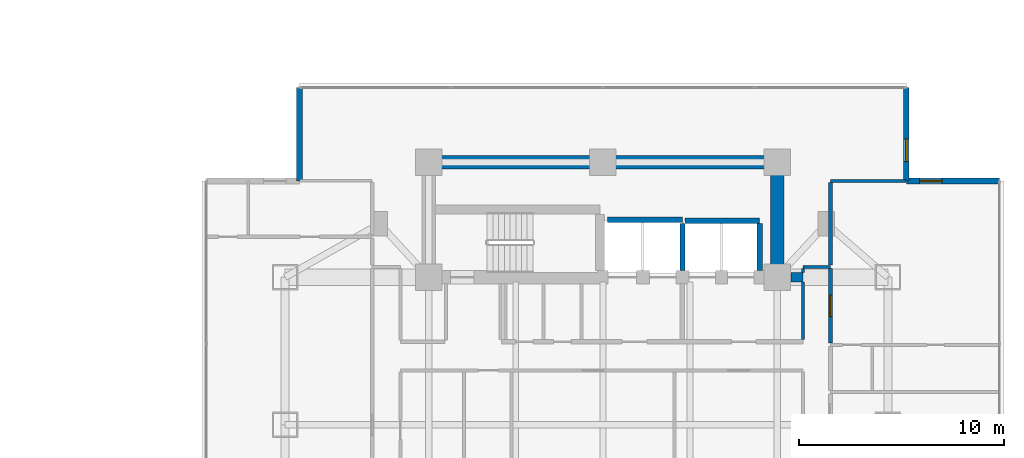
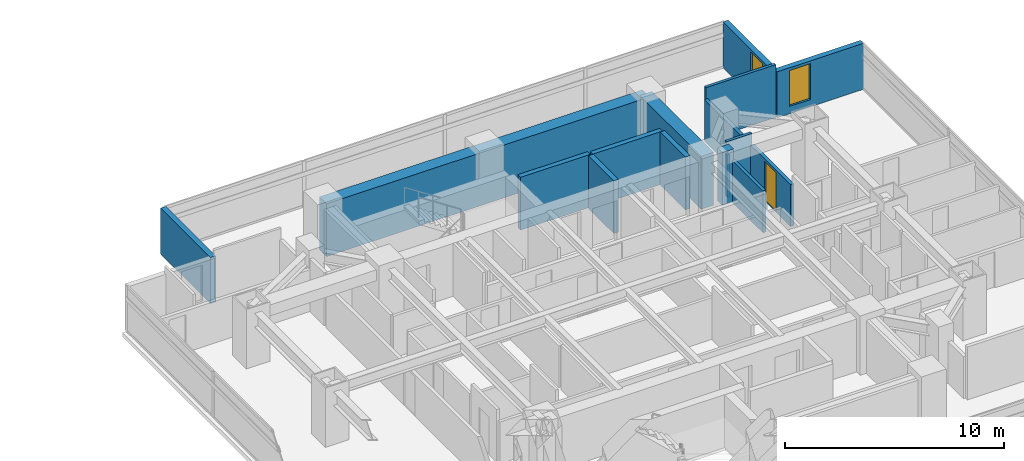
# One storey, part 20 of 26: 16 walls, 2 windows, 1 door, 3 openings.
"""IFC4 building model written with IfcOpenShell, lengths in metres."""

import ifcopenshell
import ifcopenshell.guid

model = None  # the IFC model being written
_history = None  # IfcOwnerHistory: only IFC2X3 demands one
_inside = {}  # id of a spatial element -> (the spatial element, [elements in it])
_under = {}  # id of a project, library or spatial element -> (it, [spatial elements below it])
_declared = {}  # id of a project -> (the project, [libraries it declares])
_typed = {}  # id of a type object -> (the type object, [elements of that type])
_made_of = {}  # id of a material, layer set ... -> (it, [elements and type objects made of it])


def new_model(schema):
    """Start an empty IFC model of exactly this schema.

    Asked for "IFC4X3", IfcOpenShell would pick the latest addendum, in which some entities
    have other attributes; the version numbers below select the first issue.
    IFC2X3 requires an IfcOwnerHistory on every rooted entity: one is made here for all.
    """
    global model, _history
    if schema == "IFC4X3":
        model = ifcopenshell.file(schema_version=(4, 3, 0, 0))
    else:
        model = ifcopenshell.file(schema=schema)
    _inside.clear()
    _under.clear()
    _declared.clear()
    _typed.clear()
    _made_of.clear()
    _history = None
    if model.schema == "IFC2X3":
        org = make("IfcOrganization", Name="unknown")
        user = make(
            "IfcPersonAndOrganization",
            ThePerson=make("IfcPerson", FamilyName="unknown"),
            TheOrganization=org,
        )
        app = make(
            "IfcApplication",
            ApplicationDeveloper=org,
            Version="unknown",
            ApplicationFullName="unknown",
            ApplicationIdentifier="unknown",
        )
        _history = make(
            "IfcOwnerHistory",
            OwningUser=user,
            OwningApplication=app,
            ChangeAction="ADDED",
            CreationDate=0,
        )
    return model


def make(cls, **values):
    """One entity of the class cls with the attributes given. An attribute that is None is left unset."""
    return model.create_entity(
        cls, **{name: value for name, value in values.items() if value is not None}
    )


def rooted(cls, **values):
    """An entity with a GlobalId (a new one), such as an element, a storey or a relation."""
    return make(cls, GlobalId=ifcopenshell.guid.new(), OwnerHistory=_history, **values)


def si_unit(unit_type, name, prefix=None):
    """IfcSIUnit, for example si_unit("LENGTHUNIT", "METRE", prefix="MILLI")."""
    return make("IfcSIUnit", UnitType=unit_type, Prefix=prefix, Name=name)


def assignment(units):
    """IfcUnitAssignment: the units of a project."""
    return None if units is None else make("IfcUnitAssignment", Units=units)


def point(xyz):
    """IfcCartesianPoint."""
    return None if xyz is None else make("IfcCartesianPoint", Coordinates=xyz)


def direction(xyz):
    """IfcDirection."""
    return None if xyz is None else make("IfcDirection", DirectionRatios=xyz)


def frame(location, z_axis=None, x_axis=None):
    """IfcAxis2Placement3D, a coordinate frame: its origin and axes. An axis left out is left unset."""
    return make(
        "IfcAxis2Placement3D",
        Location=point(location),
        Axis=direction(z_axis),
        RefDirection=direction(x_axis),
    )


def frame_2d(location, x_axis=None):
    """IfcAxis2Placement2D, a coordinate frame in the plane: its origin and x axis."""
    return make(
        "IfcAxis2Placement2D", Location=point(location), RefDirection=direction(x_axis)
    )


def origin():
    """The frame at (0, 0, 0) with its axes left unset."""
    return frame((0.0, 0.0, 0.0))


def place(relative_to, where):
    """IfcLocalPlacement: puts the frame where relative to a parent placement (None: the world)."""
    return make(
        "IfcLocalPlacement", PlacementRelTo=relative_to, RelativePlacement=where
    )


def context(
    kind, dimensions, precision=None, world=None, true_north=None, identifier=None
):
    """IfcGeometricRepresentationContext, for example the 3D "Model" context."""
    return make(
        "IfcGeometricRepresentationContext",
        ContextIdentifier=identifier,
        ContextType=kind,
        CoordinateSpaceDimension=dimensions,
        Precision=precision,
        WorldCoordinateSystem=world,
        TrueNorth=true_north,
    )


def subcontext(parent, identifier, kind, view, scale=None):
    """IfcGeometricRepresentationSubContext, for example "Body" below "Model"."""
    return make(
        "IfcGeometricRepresentationSubContext",
        ContextIdentifier=identifier,
        ContextType=kind,
        ParentContext=parent,
        TargetScale=scale,
        TargetView=view,
    )


def project(units=None, contexts=None):
    """IfcProject with its units and contexts."""
    return rooted(
        "IfcProject",
        Name="project",
        RepresentationContexts=contexts,
        UnitsInContext=assignment(units),
    )


def spatial(cls, under=None, at=None, **own):
    """A site, building, storey or space (cls), placed at a placement, below another one or the project."""
    s = rooted(cls, ObjectPlacement=at, **own)
    if under is not None:
        _under.setdefault(under.id(), (under, []))[1].append(s)
    return s


def profile(cls, at=None, kind="AREA", **sizes):
    """A parametric profile (cls). Its sizes go by their IFC names, for example OverallWidth=200.0."""
    return make(cls, ProfileType=kind, Position=at, **sizes)


def rectangle(**sizes):
    """IfcRectangleProfileDef."""
    return profile("IfcRectangleProfileDef", **sizes)


def extrude(swept, where, along, depth):
    """IfcExtrudedAreaSolid: the profile swept, set in the frame where, extruded along a direction by depth."""
    return make(
        "IfcExtrudedAreaSolid",
        SweptArea=swept,
        Position=where,
        ExtrudedDirection=direction(along),
        Depth=depth,
    )


def shape(context_of_items, identifier, shape_type, items):
    """IfcShapeRepresentation: the items that make up one representation, for example the "Body"."""
    return make(
        "IfcShapeRepresentation",
        ContextOfItems=context_of_items,
        RepresentationIdentifier=identifier,
        RepresentationType=shape_type,
        Items=items,
    )


def material(Name=None, Category=None):
    """IfcMaterial."""
    return make("IfcMaterial", Name=Name, Category=Category)


def layer(
    of_material, thickness, ventilated=None, Name=None, Category=None, Priority=None
):
    """IfcMaterialLayer: one layer of a wall or slab, of a material (None: an air gap)."""
    return make(
        "IfcMaterialLayer",
        Material=of_material,
        LayerThickness=thickness,
        IsVentilated=ventilated,
        Name=Name,
        Category=Category,
        Priority=Priority,
    )


def layer_set(layers, Name=None):
    """IfcMaterialLayerSet."""
    return make("IfcMaterialLayerSet", MaterialLayers=layers, LayerSetName=Name)


def made_of(thing, what):
    """Note that an element or type object is made of a material, layer set ...; save() writes the relation."""
    if what is not None:
        _made_of.setdefault(what.id(), (what, []))[1].append(thing)
    return thing


def type_object(cls, material=None, **own):
    """A type object (cls), such as IfcWallType, which elements share."""
    return made_of(rooted(cls, **own), material)


def element(
    cls,
    number,
    at=None,
    inside=None,
    cuts=None,
    type_object=None,
    material=None,
    context=None,
    identifier="Body",
    shape_type=None,
    held_by="IfcProductDefinitionShape",
    body=None,
    shapes=None,
    **own,
):
    """One element of the class cls, such as IfcWall. Its Tag is "e" and its number.

    at: its placement. inside: the storey or other place that contains it. cuts: it is an
    opening in that element (IfcRelVoidsElement). A single representation is given by context,
    identifier, shape_type and body (its items); several are given by shapes. held_by: the class
    of the entity that holds the representations. save() writes the other relations.
    """
    e = rooted(cls, Tag="e%d" % number, ObjectPlacement=at, **own)
    if body is not None:
        shapes = [shape(context, identifier, shape_type, body)]
    if shapes is not None:
        e.Representation = make(held_by, Representations=shapes)
    if inside is not None:
        _inside.setdefault(inside.id(), (inside, []))[1].append(e)
    if cuts is not None:
        rooted(
            "IfcRelVoidsElement", RelatingBuildingElement=cuts, RelatedOpeningElement=e
        )
    if type_object is not None:
        _typed.setdefault(type_object.id(), (type_object, []))[1].append(e)
    return made_of(e, material)


def fill(opening, filler):
    """IfcRelFillsElement: the door or window that sits in an opening."""
    return rooted(
        "IfcRelFillsElement",
        RelatingOpeningElement=opening,
        RelatedBuildingElement=filler,
    )


def aggregate(whole, parts):
    """IfcRelAggregates: a whole, such as a stair, and the parts it consists of."""
    return rooted("IfcRelAggregates", RelatingObject=whole, RelatedObjects=parts)


def save(model, path):
    """Write the relations noted so far, then the file.

    IfcRelAggregates (storeys below a building ...), IfcRelContainedInSpatialStructure (elements
    in a storey), IfcRelDefinesByType, IfcRelAssociatesMaterial and IfcRelDeclares: one each for
    every whole, place, type object, material and project.
    """
    for whole, parts in _under.values():
        aggregate(whole, parts)
    for where, things in _inside.values():
        rooted(
            "IfcRelContainedInSpatialStructure",
            RelatedElements=things,
            RelatingStructure=where,
        )
    for kind, things in _typed.values():
        rooted("IfcRelDefinesByType", RelatedObjects=things, RelatingType=kind)
    for what, things in _made_of.values():
        rooted("IfcRelAssociatesMaterial", RelatedObjects=things, RelatingMaterial=what)
    for by, libraries in _declared.values():
        rooted("IfcRelDeclares", RelatingContext=by, RelatedDefinitions=libraries)
    model.write(path)


model = new_model("IFC4")

# Units and contexts
model_context = context("Model", 3, precision=1e-05, world=origin(), true_north=direction((0.0, 1.0)))
body_context = subcontext(model_context, "Body", "Model", "MODEL_VIEW")
ifc_project = project(units=[si_unit("LENGTHUNIT", "METRE"), si_unit("AREAUNIT", "SQUARE_METRE"), si_unit("VOLUMEUNIT", "CUBIC_METRE"), si_unit("PLANEANGLEUNIT", "RADIAN"), si_unit("MASSUNIT", "GRAM", prefix="KILO")], contexts=[model_context])

# Site, building, storey
site_placement = place(None, origin())
site = spatial("IfcSite", under=ifc_project, at=site_placement, CompositionType="ELEMENT")
building_placement = place(site_placement, origin())
building = spatial("IfcBuilding", under=site, at=building_placement, Name="Mirazonda Arch Towers", CompositionType="ELEMENT")
storey_placement = place(building_placement, frame((0.0, 0.0, 78.5)))
storey = spatial("IfcBuildingStorey", under=building, at=storey_placement, Name="L22", CompositionType="ELEMENT", Elevation=78.5)

# Walls
ifc_material_1 = material(Name="Concrete C50/60", Category="concrete")
ifc_layer_1 = layer(ifc_material_1, 0.449951171875, Name="WALL-CORE-450")
ifc_layer_set_1 = layer_set([ifc_layer_1], Name="Concrete C50/60")
wall_type_1 = type_object("IfcWallType", Name="WALL-CORE-450", PredefinedType="SHEAR", material=ifc_layer_set_1)
wall_1_placement = place(storey_placement, frame((85.6650390625, 35.199951171875, 0.0), z_axis=(0.0, 0.0, 1.0), x_axis=(1.0, 0.0, 0.0)))
element("IfcWall", 1, at=wall_1_placement, inside=storey, type_object=wall_type_1, Name="L22 Stair Core Shear Wall 042", PredefinedType="SHEAR", context=body_context, shape_type="SweptSolid", body=[
    extrude(rectangle(XDim=0.5849609375, YDim=0.449951171875, at=frame_2d((0.29248046875, 0.0))), origin(), (0.0, 0.0, 1.0), 2.93994140625),
])
ifc_material_2 = material(Name="Concrete C60/75", Category="concrete")
ifc_layer_2 = layer(ifc_material_2, 0.64990234375, Name="WALL-CORE-650")
ifc_layer_set_2 = layer_set([ifc_layer_2], Name="Concrete C60/75")
wall_type_2 = type_object("IfcWallType", Name="WALL-CORE-650", PredefinedType="SHEAR", material=ifc_layer_set_2)
wall_2_placement = place(storey_placement, frame((68.0, 40.800048828125, 0.0), z_axis=(0.0, 0.0, 1.0), x_axis=(1.0, 0.0, 0.0)))
element("IfcWall", 2, at=wall_2_placement, inside=storey, type_object=wall_type_2, Name="L22 T2N-N Core Shear Wall", PredefinedType="SHEAR", context=body_context, shape_type="SweptSolid", body=[
    extrude(rectangle(XDim=17.0, YDim=0.64990234375, at=frame_2d((8.5, 0.0))), origin(), (0.0, 0.0, 1.0), 2.93994140625),
])
wall_3_placement = place(storey_placement, frame((85.0, 35.199951171875, 0.0), z_axis=(0.0, 0.0, 1.0), x_axis=(0.0, 1.0, 0.0)))
element("IfcWall", 3, at=wall_3_placement, inside=storey, type_object=wall_type_2, Name="L22 T2N-E Core Shear Wall", PredefinedType="SHEAR", context=body_context, shape_type="SweptSolid", body=[
    extrude(rectangle(XDim=5.60009765625, YDim=0.64990234375, at=frame_2d((2.800048828125, 0.0))), origin(), (0.0, 0.0, 1.0), 2.93994140625),
])

# Wall, opening, window
ifc_material_3 = material(Name="Precast Concrete C40/50", Category="concrete")
ifc_layer_3 = layer(ifc_material_3, 0.280029296875, Name="WALL-EXT-WALL-280")
ifc_layer_set_3 = layer_set([ifc_layer_3], Name="Precast Concrete C40/50")
wall_type_3 = type_object("IfcWallType", Name="WALL-EXT-WALL-280", PredefinedType="SOLIDWALL", material=ifc_layer_set_3)
wall_4_placement = place(storey_placement, frame((91.298095703125, 39.896484375, 0.0), z_axis=(0.0, 0.0, 1.0), x_axis=(0.0, 1.0, 0.0)))
wall_4 = element("IfcWall", 4, at=wall_4_placement, inside=storey, type_object=wall_type_3, Name="L22 T2 Notched NE Corner Wall WL-L22-T2-CNE", PredefinedType="SOLIDWALL", context=body_context, shape_type="SweptSolid", body=[
    extrude(rectangle(XDim=4.5458984375, YDim=0.280029296875, at=frame_2d((2.27294921875, 0.0))), origin(), (0.0, 0.0, 1.0), 2.56005859375),
])
opening_1_placement = place(wall_4_placement, frame((0.949951171875, 0.0, 0.409912109375)))
opening_1 = element("IfcOpeningElement", 5, at=opening_1_placement, cuts=wall_4, Name="Opening WN-108", PredefinedType="OPENING", context=body_context, shape_type="SweptSolid", body=[
    extrude(rectangle(XDim=1.10009765625, YDim=2.0, at=frame_2d((0.550048828125, 1.0))), frame((0.0, 0.14990234375, 0.0), z_axis=(0.0, -1.0, 0.0), x_axis=(1.0, 0.0, 0.0)), (0.0, 0.0, 1.0), 0.300048828125),
])
ifc_material_4 = material(Name="Insulated Low-E Solar Glass", Category="glass")
window_type = type_object("IfcWindowType", Name="WIN-NOTCH-1100x2000", PartitioningType="SINGLE_PANEL", PredefinedType="WINDOW", material=ifc_material_4)
window_1_placement = place(opening_1_placement, origin())
window_1 = element("IfcWindow", 6, at=window_1_placement, inside=storey, type_object=window_type, Name="L22 Punched Facade Window WN-L22-T2-CNE", OverallHeight=2.0, OverallWidth=1.10009765625, PartitioningType="SINGLE_PANEL", PredefinedType="WINDOW", context=body_context, shape_type="SweptSolid", body=[
    extrude(rectangle(XDim=1.10009765625, YDim=2.0, at=frame_2d((0.550048828125, 1.0))), frame((0.0, 0.030029296875, 0.0), z_axis=(0.0, -1.0, 0.0), x_axis=(1.0, 0.0, 0.0)), (0.0, 0.0, 1.0), 0.06005859375),
])
fill(opening_1, window_1)

# Wall
wall_5_placement = place(storey_placement, frame((61.701904296875, 44.4423828125, 0.0), z_axis=(0.0, 0.0, 1.0), x_axis=(0.0, -1.0, 0.0)))
element("IfcWall", 7, at=wall_5_placement, inside=storey, type_object=wall_type_3, Name="L22 T2 Corner Notch Return Wall WL-L22-T2-CNW2", PredefinedType="SOLIDWALL", context=body_context, shape_type="SweptSolid", body=[
    extrude(rectangle(XDim=4.5458984375, YDim=0.280029296875, at=frame_2d((2.27294921875, 0.0))), origin(), (0.0, 0.0, 1.0), 2.56005859375),
])

# Wall, opening, window
wall_6_placement = place(storey_placement, frame((95.843994140625, 39.896484375, 0.0), z_axis=(0.0, 0.0, 1.0), x_axis=(-1.0, 0.0, 0.0)))
wall_6 = element("IfcWall", 8, at=wall_6_placement, inside=storey, type_object=wall_type_3, Name="L22 T2 Corner Notch Return Wall WL-L22-T2-CNE2", PredefinedType="SOLIDWALL", context=body_context, shape_type="SweptSolid", body=[
    extrude(rectangle(XDim=4.5458984375, YDim=0.280029296875, at=frame_2d((2.27294921875, 0.0))), origin(), (0.0, 0.0, 1.0), 2.56005859375),
])
opening_2_placement = place(wall_6_placement, frame((2.7958984375, 0.0, 0.409912109375)))
opening_2 = element("IfcOpeningElement", 9, at=opening_2_placement, cuts=wall_6, Name="Opening WN-108", PredefinedType="OPENING", context=body_context, shape_type="SweptSolid", body=[
    extrude(rectangle(XDim=1.10009765625, YDim=2.0, at=frame_2d((0.550048828125, 1.0))), frame((0.0, 0.14990234375, 0.0), z_axis=(0.0, -1.0, 0.0), x_axis=(1.0, 0.0, 0.0)), (0.0, 0.0, 1.0), 0.300048828125),
])
window_2_placement = place(opening_2_placement, origin())
window_2 = element("IfcWindow", 10, at=window_2_placement, inside=storey, type_object=window_type, Name="L22 Punched Facade Window WN-L22-T2-CNE2", OverallHeight=2.0, OverallWidth=1.10009765625, PartitioningType="SINGLE_PANEL", PredefinedType="WINDOW", context=body_context, shape_type="SweptSolid", body=[
    extrude(rectangle(XDim=1.10009765625, YDim=2.0, at=frame_2d((0.550048828125, 1.0))), frame((0.0, 0.030029296875, 0.0), z_axis=(0.0, -1.0, 0.0), x_axis=(1.0, 0.0, 0.0)), (0.0, 0.0, 1.0), 0.06005859375),
])
fill(opening_2, window_2)

# Walls
ifc_material_5 = material(Name="Fire-Rated Gypsum Stud Partition")
ifc_layer_4 = layer(ifc_material_5, 0.14990234375, Name="WALL-PART-CORR-150")
ifc_layer_set_4 = layer_set([ifc_layer_4], Name="Fire-Rated Gypsum Stud Partition")
wall_type_4 = type_object("IfcWallType", Name="WALL-PART-CORR-150", PredefinedType="PARTITIONING", material=ifc_layer_set_4)
wall_7_placement = place(storey_placement, frame((86.25, 35.699951171875, 0.0), z_axis=(0.0, 0.0, 1.0), x_axis=(1.0, 0.0, 0.0)))
element("IfcWall", 11, at=wall_7_placement, inside=storey, type_object=wall_type_4, Name="L22 Interior Partition 044", PredefinedType="PARTITIONING", context=body_context, shape_type="SweptSolid", body=[
    extrude(rectangle(XDim=1.35009765625, YDim=0.14990234375, at=frame_2d((0.675048828125, 0.0))), origin(), (0.0, 0.0, 1.0), 2.93994140625),
])
wall_8_placement = place(storey_placement, frame((87.60009765625, 39.89599609375, 0.0), z_axis=(0.0, 0.0, 1.0), x_axis=(1.0, 0.0, 0.0)))
element("IfcWall", 12, at=wall_8_placement, inside=storey, type_object=wall_type_4, Name="L22 Interior Partition 050", PredefinedType="PARTITIONING", context=body_context, shape_type="SweptSolid", body=[
    extrude(rectangle(XDim=3.677978515625, YDim=0.14990234375, at=frame_2d((1.8388671875, 0.0))), origin(), (0.0, 0.0, 1.0), 2.93994140625),
])
wall_9_placement = place(storey_placement, frame((86.25, 32.169921875, 0.0), z_axis=(0.0, 0.0, 1.0), x_axis=(0.0, 1.0, 0.0)))
element("IfcWall", 13, at=wall_9_placement, inside=storey, type_object=wall_type_4, Name="L22 Interior Partition 137", PredefinedType="PARTITIONING", context=body_context, shape_type="SweptSolid", body=[
    extrude(rectangle(XDim=2.795166015625, YDim=0.14990234375, at=frame_2d((1.3974609375, 0.0))), origin(), (0.0, 0.0, 1.0), 2.33203125),
])
wall_10_placement = place(storey_placement, frame((86.25, 35.43505859375, 0.0), z_axis=(0.0, 0.0, 1.0), x_axis=(0.0, 1.0, 0.0)))
element("IfcWall", 14, at=wall_10_placement, inside=storey, type_object=wall_type_4, Name="L22 Interior Partition 138", PredefinedType="PARTITIONING", context=body_context, shape_type="SweptSolid", body=[
    extrude(rectangle(XDim=0.179931640625, YDim=0.14990234375, at=frame_2d((0.08984375, 0.0))), origin(), (0.0, 0.0, 1.0), 2.33203125),
])

# Wall, opening, door
ifc_material_6 = material(Name="Fire-Rated Gypsum Twin-Stud Assembly")
ifc_layer_5 = layer(ifc_material_6, 0.179931640625, Name="WALL-PART-DEMISE-180")
ifc_layer_set_5 = layer_set([ifc_layer_5], Name="Fire-Rated Gypsum Twin-Stud Assembly")
wall_type_5 = type_object("IfcWallType", Name="WALL-PART-DEMISE-180", PredefinedType="PARTITIONING", material=ifc_layer_set_5)
wall_11_placement = place(storey_placement, frame((87.60009765625, 31.98095703125, 0.0), z_axis=(0.0, 0.0, 1.0), x_axis=(0.0, 1.0, 0.0)))
wall_11 = element("IfcWall", 15, at=wall_11_placement, inside=storey, type_object=wall_type_5, Name="L22 Interior Partition 145", PredefinedType="PARTITIONING", context=body_context, shape_type="SweptSolid", body=[
    extrude(rectangle(XDim=3.634033203125, YDim=0.179931640625, at=frame_2d((1.81689453125, 0.0))), origin(), (0.0, 0.0, 1.0), 2.33203125),
])
opening_3_placement = place(wall_11_placement, frame((1.2919921875, 0.0, 0.0)))
opening_3 = element("IfcOpeningElement", 16, at=opening_3_placement, cuts=wall_11, Name="Opening DR-121", PredefinedType="OPENING", context=body_context, shape_type="SweptSolid", body=[
    extrude(rectangle(XDim=1.050048828125, YDim=2.199951171875, at=frame_2d((0.52490234375, 1.10009765625))), frame((0.0, 0.099853515625, 0.0), z_axis=(0.0, -1.0, 0.0), x_axis=(1.0, 0.0, 0.0)), (0.0, 0.0, 1.0), 0.199951171875),
])
ifc_material_7 = material(Name="Architectural Brushed Steel S355", Category="steel")
door_type = type_object("IfcDoorType", Name="DOOR-SUITE-FD60-1050", OperationType="NOTDEFINED", PredefinedType="DOOR", material=ifc_material_7)
door_placement = place(opening_3_placement, origin())
door = element("IfcDoor", 17, at=door_placement, inside=storey, type_object=door_type, Name="L22 King Hotel Guestroom 3 Door", OperationType="SINGLE_SWING_LEFT", OverallHeight=2.199951171875, OverallWidth=1.050048828125, PredefinedType="DOOR", context=body_context, shape_type="SweptSolid", body=[
    extrude(rectangle(XDim=1.050048828125, YDim=2.199951171875, at=frame_2d((0.52490234375, 1.10009765625))), frame((0.0, 0.02490234375, 0.0), z_axis=(0.0, -1.0, 0.0), x_axis=(1.0, 0.0, 0.0)), (0.0, 0.0, 1.0), 0.050048828125),
])
fill(opening_3, door)

# Walls
wall_12_placement = place(storey_placement, frame((87.60009765625, 35.784912109375, 0.0), z_axis=(0.0, 0.0, 1.0), x_axis=(0.0, 1.0, 0.0)))
element("IfcWall", 18, at=wall_12_placement, inside=storey, type_object=wall_type_5, Name="L22 Interior Partition 146", PredefinedType="PARTITIONING", context=body_context, shape_type="SweptSolid", body=[
    extrude(rectangle(XDim=4.026123046875, YDim=0.179931640625, at=frame_2d((2.01318359375, 0.0))), origin(), (0.0, 0.0, 1.0), 2.31591796875),
])
ifc_material_8 = material(Name="Concrete C40/50", Category="concrete")
ifc_layer_6 = layer(ifc_material_8, 0.25, Name="WALL-SHAFT-250")
ifc_layer_set_6 = layer_set([ifc_layer_6], Name="Concrete C40/50")
wall_type_6 = type_object("IfcWallType", Name="WALL-SHAFT-250", PredefinedType="SOLIDWALL", material=ifc_layer_set_6)
wall_13_placement = place(storey_placement, frame((80.5, 37.949951171875, 0.0), z_axis=(0.0, 0.0, 1.0), x_axis=(1.0, 0.0, 0.0)))
element("IfcWall", 19, at=wall_13_placement, inside=storey, type_object=wall_type_6, Name="L22 Interior Partition 046", PredefinedType="SOLIDWALL", context=body_context, shape_type="SweptSolid", body=[
    extrude(rectangle(XDim=3.64990234375, YDim=0.25, at=frame_2d((1.824951171875, 0.0))), origin(), (0.0, 0.0, 1.0), 2.93994140625),
])
wall_14_placement = place(storey_placement, frame((76.719970703125, 38.0, 0.0), z_axis=(0.0, 0.0, 1.0), x_axis=(1.0, 0.0, 0.0)))
element("IfcWall", 20, at=wall_14_placement, inside=storey, type_object=wall_type_6, Name="L22 Interior Partition 047", PredefinedType="SOLIDWALL", context=body_context, shape_type="SweptSolid", body=[
    extrude(rectangle(XDim=3.659912109375, YDim=0.25, at=frame_2d((1.830078125, 0.0))), origin(), (0.0, 0.0, 1.0), 2.93994140625),
])
for number, where, z_axis, x_axis, name in (
    (21, (80.3798828125, 35.52001953125, 0.0), (0.0, 0.0, 1.0), (0.0, 1.0, 0.0), "L22 Interior Partition 131"),
    (22, (84.14990234375, 35.52001953125, 0.0), (0.0, 0.0, 1.0), (0.0, 1.0, 0.0), "L22 Interior Partition 133"),
):
    element("IfcWall", number, at=place(storey_placement, frame(where, z_axis=z_axis, x_axis=x_axis)), inside=storey, type_object=wall_type_6, Name=name, PredefinedType="SOLIDWALL", context=body_context, shape_type="SweptSolid", body=[
        extrude(rectangle(XDim=2.294921875, YDim=0.25, at=frame_2d((1.1474609375, 0.0))), origin(), (0.0, 0.0, 1.0), 2.93994140625),
    ])

save(model, "model.ifc")
